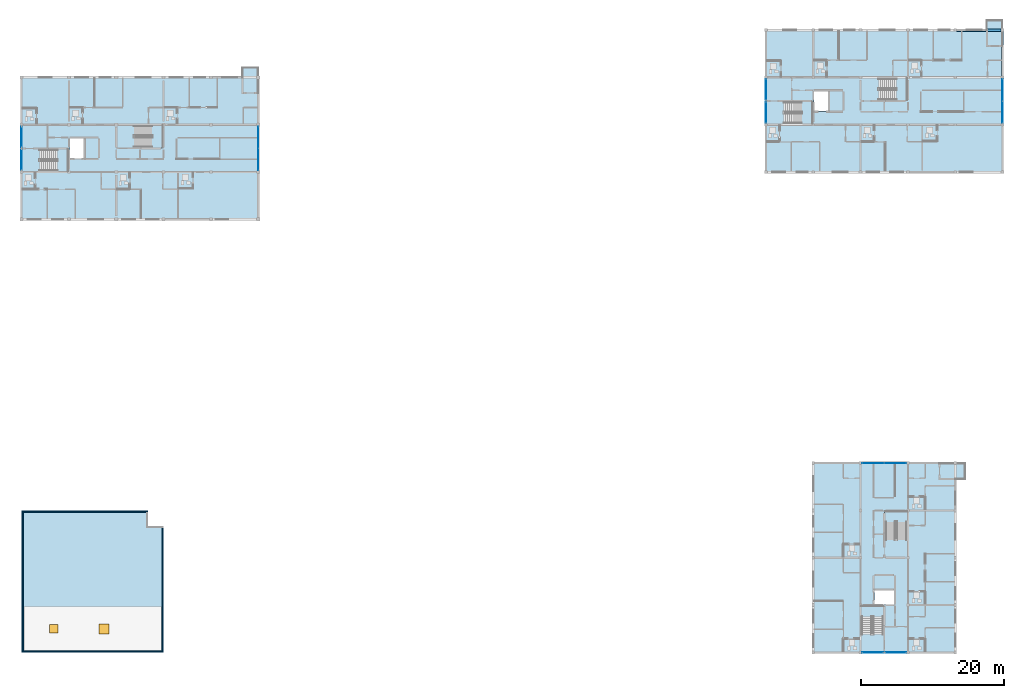
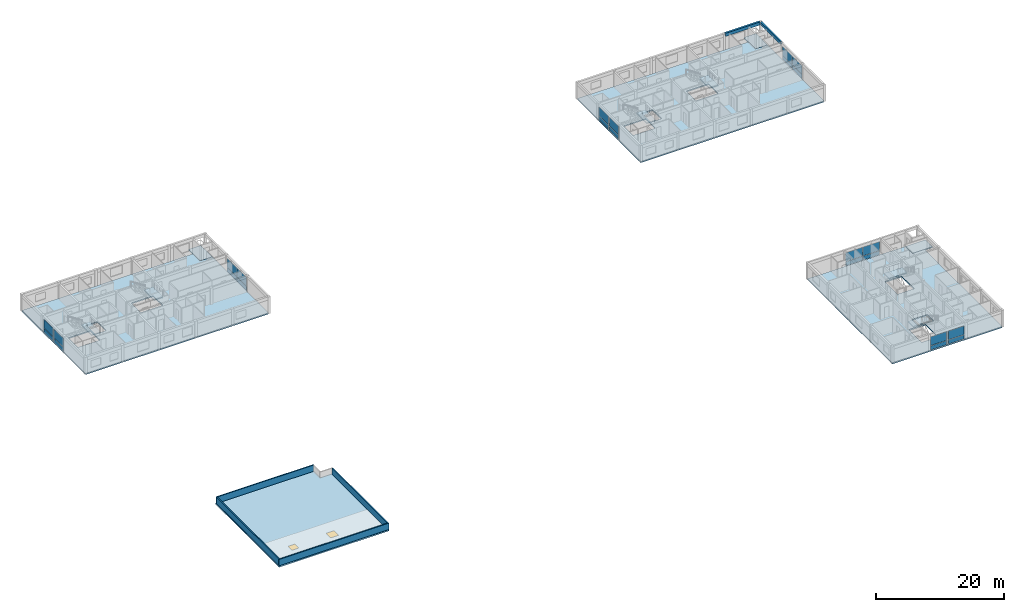
# One storey, part 15 of 34: 24 plates, 13 slabs, 4 walls, 2 beams, 2 windows, 2 openings, 15 elements without a shape of their own.
"""IFC4 building model written with IfcOpenShell, lengths in metres."""

from ifc_helpers import new_model, si_unit, direction, frame, frame_2d, origin, origin_2d, place, context, subcontext, project, spatial, polyline, rectangle, outline, extrude, material, layer, layer_set, material_profile, profile_set, type_object, element, fill, aggregate, save


model = new_model("IFC4")

# Units and contexts
model_context = context("Model", 3, precision=1e-05, world=origin(), true_north=direction((0.0, 1.0)))
body_context = subcontext(model_context, "Body", "Model", "MODEL_VIEW")
ifc_project = project(units=[si_unit("LENGTHUNIT", "METRE"), si_unit("AREAUNIT", "SQUARE_METRE"), si_unit("VOLUMEUNIT", "CUBIC_METRE"), si_unit("PLANEANGLEUNIT", "RADIAN"), si_unit("MASSUNIT", "GRAM", prefix="KILO")], contexts=[model_context])

# Site, building, storey
site_placement = place(None, origin())
site = spatial("IfcSite", under=ifc_project, at=site_placement, CompositionType="ELEMENT")
building_placement = place(site_placement, origin())
building = spatial("IfcBuilding", under=site, at=building_placement, Name="Kernevlak Ridge Housing Community", CompositionType="ELEMENT")
storey_placement = place(building_placement, frame((0.0, 0.0, 34.0)))
storey = spatial("IfcBuildingStorey", under=building, at=storey_placement, Name="L10", CompositionType="ELEMENT", Elevation=34.0)

# Beams
ifc_material_1 = material(Name="Concrete C35/45", Category="concrete")
ifc_material_profile_1 = material_profile(ifc_material_1, rectangle(XDim=0.300048828125, YDim=0.550048828125, at=origin_2d()), Name="RC 300x550")
ifc_profile_set_1 = profile_set([ifc_material_profile_1], Name="Concrete C35/45")
beam_type_1 = type_object("IfcBeamType", Name="SP-01", PredefinedType="SPANDREL", material=ifc_profile_set_1)
beam_1_placement = place(storey_placement, frame((152.39990234375, 96.0, 2.925048828125), z_axis=(0.0, 1.0, 0.0), x_axis=(-1.0, 0.0, 0.0)))
element("IfcBeam", 1, at=beam_1_placement, inside=storey, type_object=beam_type_1, Name="Beam SP-01 L10 862", PredefinedType="SPANDREL", context=body_context, shape_type="SweptSolid", body=[
    extrude(rectangle(XDim=0.300048828125, YDim=0.550048828125, at=origin_2d()), origin(), (0.0, 0.0, 1.0), 6.199951171875),
])
ifc_material_profile_2 = material_profile(ifc_material_1, rectangle(XDim=0.35009765625, YDim=0.60009765625, at=origin_2d()), Name="RC 350x600")
ifc_profile_set_2 = profile_set([ifc_material_profile_2], Name="Concrete C35/45")
beam_type_2 = type_object("IfcBeamType", Name="SP-03", PredefinedType="SPANDREL", material=ifc_profile_set_2)
beam_2_placement = place(storey_placement, frame((146.0, 102.39990234375, 2.89990234375), z_axis=(1.0, 0.0, 0.0), x_axis=(0.0, 1.0, 0.0)))
element("IfcBeam", 2, at=beam_2_placement, inside=storey, type_object=beam_type_2, Name="Beam SP-03 L10 856", PredefinedType="SPANDREL", context=body_context, shape_type="SweptSolid", body=[
    extrude(rectangle(XDim=0.35009765625, YDim=0.60009765625, at=origin_2d()), origin(), (0.0, 0.0, 1.0), 6.199951171875),
])

# Curtain wall, plate
ifc_material_2 = material(Name="Aluminium EN AW-6060 anodised and laminated glass", Category="aluminium")
curtain_wall_type_1 = type_object("IfcCurtainWallType", Name="CW-01", PredefinedType="NOTDEFINED", material=ifc_material_2)
curtain_wall_1_placement = place(storey_placement, origin())
curtain_wall_1 = element("IfcCurtainWall", 3, at=curtain_wall_1_placement, inside=storey, type_object=curtain_wall_type_1, Name="Curtain wall CW-01 CW-L10-031", PredefinedType="NOTDEFINED")
ifc_material_3 = material(Name="Solar-control double glazing glass", Category="glass")
ifc_layer_1 = layer(ifc_material_3, 0.02392578125, Name="Solar-control double glazing glass")
ifc_layer_set_1 = layer_set([ifc_layer_1], Name="Solar-control double glazing glass")
plate_type_1 = type_object("IfcPlateType", Name="CP-01", PredefinedType="CURTAIN_PANEL", material=ifc_layer_set_1)
plate_1_placement = place(storey_placement, frame((15.60009765625, 84.3076171875, 0.8798828125), z_axis=(0.0, 0.0, 1.0), x_axis=(0.0, 1.0, 0.0)))
plate_1 = element("IfcPlate", 4, at=plate_1_placement, type_object=plate_type_1, Name="CW-01 panel 1.2", PredefinedType="CURTAIN_PANEL", context=body_context, shape_type="SweptSolid", body=[
    extrude(rectangle(XDim=2.844970703125, YDim=0.02392578125, at=origin_2d()), origin(), (0.0, 0.0, 1.0), 1.659912109375),
])

curtain_wall_type_2 = type_object("IfcCurtainWallType", Name="CW-08", PredefinedType="NOTDEFINED", material=ifc_material_2)
curtain_wall_2_placement = place(storey_placement, origin())
curtain_wall_2 = element("IfcCurtainWall", 5, at=curtain_wall_2_placement, inside=storey, type_object=curtain_wall_type_2, Name="Curtain wall CW-08 CW-L10-032", PredefinedType="NOTDEFINED")
plate_2_placement = place(storey_placement, frame((15.60009765625, 87.492431640625, 0.88232421875), z_axis=(0.0, 0.0, 1.0), x_axis=(0.0, 1.0, 0.0)))
plate_2 = element("IfcPlate", 6, at=plate_2_placement, type_object=plate_type_1, Name="CW-08 panel 1.2", PredefinedType="CURTAIN_PANEL", context=body_context, shape_type="SweptSolid", body=[
    extrude(rectangle(XDim=2.8349609375, YDim=0.02392578125, at=origin_2d()), origin(), (0.0, 0.0, 1.0), 1.652587890625),
])

# Curtain wall, plates
curtain_wall_type_3 = type_object("IfcCurtainWallType", Name="CW-12", PredefinedType="NOTDEFINED", material=ifc_material_2)
curtain_wall_3_placement = place(storey_placement, origin())
curtain_wall_3 = element("IfcCurtainWall", 7, at=curtain_wall_3_placement, inside=storey, type_object=curtain_wall_type_3, Name="Curtain wall CW-12 CW-L10-033", PredefinedType="NOTDEFINED")
plate_3_placement = place(storey_placement, frame((48.60009765625, 84.376220703125, 0.87744140625), z_axis=(0.0, 0.0, 1.0), x_axis=(0.0, 1.0, 0.0)))
plate_3 = element("IfcPlate", 8, at=plate_3_placement, type_object=plate_type_1, Name="CW-12 panel 1.2", PredefinedType="CURTAIN_PANEL", context=body_context, shape_type="SweptSolid", body=[
    extrude(rectangle(XDim=2.992431640625, YDim=0.02392578125, at=origin_2d()), origin(), (0.0, 0.0, 1.0), 1.66748046875),
])
plate_4_placement = place(storey_placement, frame((48.60009765625, 87.423828125, 0.87744140625), z_axis=(0.0, 0.0, 1.0), x_axis=(0.0, 1.0, 0.0)))
plate_4 = element("IfcPlate", 9, at=plate_4_placement, type_object=plate_type_1, Name="CW-12 panel 2.2", PredefinedType="CURTAIN_PANEL", context=body_context, shape_type="SweptSolid", body=[
    extrude(rectangle(XDim=2.992431640625, YDim=0.02392578125, at=origin_2d()), origin(), (0.0, 0.0, 1.0), 1.66748046875),
])

# Curtain wall, plate
curtain_wall_type_4 = type_object("IfcCurtainWallType", Name="CW-04", PredefinedType="NOTDEFINED", material=ifc_material_2)
curtain_wall_4_placement = place(storey_placement, origin())
curtain_wall_4 = element("IfcCurtainWall", 10, at=curtain_wall_4_placement, inside=storey, type_object=curtain_wall_type_4, Name="Curtain wall CW-04 CW-L10-085", PredefinedType="NOTDEFINED")
plate_5_placement = place(storey_placement, frame((119.39990234375, 90.89501953125, 0.8798828125), z_axis=(0.0, 0.0, 1.0), x_axis=(0.0, 1.0, 0.0)))
plate_5 = element("IfcPlate", 11, at=plate_5_placement, type_object=plate_type_1, Name="CW-04 panel 1.2", PredefinedType="CURTAIN_PANEL", context=body_context, shape_type="SweptSolid", body=[
    extrude(rectangle(XDim=2.8701171875, YDim=0.02392578125, at=origin_2d()), origin(), (0.0, 0.0, 1.0), 1.659912109375),
])

curtain_wall_type_5 = type_object("IfcCurtainWallType", Name="CW-11", PredefinedType="NOTDEFINED", material=ifc_material_2)
curtain_wall_5_placement = place(storey_placement, origin())
curtain_wall_5 = element("IfcCurtainWall", 12, at=curtain_wall_5_placement, inside=storey, type_object=curtain_wall_type_5, Name="Curtain wall CW-11 CW-L10-086", PredefinedType="NOTDEFINED")
plate_6_placement = place(storey_placement, frame((119.39990234375, 94.10498046875, 0.88232421875), z_axis=(0.0, 0.0, 1.0), x_axis=(0.0, 1.0, 0.0)))
plate_6 = element("IfcPlate", 13, at=plate_6_placement, type_object=plate_type_1, Name="CW-11 panel 1.2", PredefinedType="CURTAIN_PANEL", context=body_context, shape_type="SweptSolid", body=[
    extrude(rectangle(XDim=2.860107421875, YDim=0.02392578125, at=origin_2d()), origin(), (0.0, 0.0, 1.0), 1.652587890625),
])

# Curtain wall, plates
curtain_wall_type_6 = type_object("IfcCurtainWallType", Name="CW-14", PredefinedType="NOTDEFINED", material=ifc_material_2)
curtain_wall_6_placement = place(storey_placement, origin())
curtain_wall_6 = element("IfcCurtainWall", 14, at=curtain_wall_6_placement, inside=storey, type_object=curtain_wall_type_6, Name="Curtain wall CW-14 CW-L10-087", PredefinedType="NOTDEFINED")
plate_7_placement = place(storey_placement, frame((152.39990234375, 90.9638671875, 0.87744140625), z_axis=(0.0, 0.0, 1.0), x_axis=(0.0, 1.0, 0.0)))
plate_7 = element("IfcPlate", 15, at=plate_7_placement, type_object=plate_type_1, Name="CW-14 panel 1.2", PredefinedType="CURTAIN_PANEL", context=body_context, shape_type="SweptSolid", body=[
    extrude(rectangle(XDim=3.017578125, YDim=0.02392578125, at=origin_2d()), origin(), (0.0, 0.0, 1.0), 1.66748046875),
])
plate_8_placement = place(storey_placement, frame((152.39990234375, 94.0361328125, 0.87744140625), z_axis=(0.0, 0.0, 1.0), x_axis=(0.0, 1.0, 0.0)))
plate_8 = element("IfcPlate", 16, at=plate_8_placement, type_object=plate_type_1, Name="CW-14 panel 2.2", PredefinedType="CURTAIN_PANEL", context=body_context, shape_type="SweptSolid", body=[
    extrude(rectangle(XDim=3.017578125, YDim=0.02392578125, at=origin_2d()), origin(), (0.0, 0.0, 1.0), 1.66748046875),
])

# Curtain wall, plate
curtain_wall_type_7 = type_object("IfcCurtainWallType", Name="CW-07", PredefinedType="NOTDEFINED", material=ifc_material_2)
curtain_wall_7_placement = place(storey_placement, origin())
curtain_wall_7 = element("IfcCurtainWall", 17, at=curtain_wall_7_placement, inside=storey, type_object=curtain_wall_type_7, Name="Curtain wall CW-07 CW-L10-130", PredefinedType="NOTDEFINED")
plate_9_placement = place(storey_placement, frame((134.294921875, 15.60009765625, 0.8798828125), z_axis=(0.0, 0.0, 1.0), x_axis=(1.0, 0.0, 0.0)))
plate_9 = element("IfcPlate", 18, at=plate_9_placement, type_object=plate_type_1, Name="CW-07 panel 1.2", PredefinedType="CURTAIN_PANEL", context=body_context, shape_type="SweptSolid", body=[
    extrude(rectangle(XDim=2.8701171875, YDim=0.02392578125, at=origin_2d()), origin(), (0.0, 0.0, 1.0), 1.659912109375),
])

curtain_wall_8_placement = place(storey_placement, origin())
curtain_wall_8 = element("IfcCurtainWall", 19, at=curtain_wall_8_placement, inside=storey, type_object=curtain_wall_type_6, Name="Curtain wall CW-14 CW-L10-131", PredefinedType="NOTDEFINED")
plate_10_placement = place(storey_placement, frame((137.5048828125, 15.60009765625, 0.88232421875), z_axis=(0.0, 0.0, 1.0), x_axis=(1.0, 0.0, 0.0)))
plate_10 = element("IfcPlate", 20, at=plate_10_placement, type_object=plate_type_1, Name="CW-14 panel 1.2", PredefinedType="CURTAIN_PANEL", context=body_context, shape_type="SweptSolid", body=[
    extrude(rectangle(XDim=2.860107421875, YDim=0.02392578125, at=origin_2d()), origin(), (0.0, 0.0, 1.0), 1.652587890625),
])

# Curtain wall, plates
curtain_wall_type_8 = type_object("IfcCurtainWallType", Name="CW-02", PredefinedType="NOTDEFINED", material=ifc_material_2)
curtain_wall_9_placement = place(storey_placement, origin())
curtain_wall_9 = element("IfcCurtainWall", 21, at=curtain_wall_9_placement, inside=storey, type_object=curtain_wall_type_8, Name="Curtain wall CW-02 CW-L10-132", PredefinedType="NOTDEFINED")
plate_11_placement = place(storey_placement, frame((134.36376953125, 42.0, 0.87744140625), z_axis=(0.0, 0.0, 1.0), x_axis=(1.0, 0.0, 0.0)))
plate_11 = element("IfcPlate", 22, at=plate_11_placement, type_object=plate_type_1, Name="CW-02 panel 1.2", PredefinedType="CURTAIN_PANEL", context=body_context, shape_type="SweptSolid", body=[
    extrude(rectangle(XDim=3.017578125, YDim=0.02392578125, at=origin_2d()), origin(), (0.0, 0.0, 1.0), 1.66748046875),
])
plate_12_placement = place(storey_placement, frame((137.436279296875, 42.0, 0.87744140625), z_axis=(0.0, 0.0, 1.0), x_axis=(1.0, 0.0, 0.0)))
plate_12 = element("IfcPlate", 23, at=plate_12_placement, type_object=plate_type_1, Name="CW-02 panel 2.2", PredefinedType="CURTAIN_PANEL", context=body_context, shape_type="SweptSolid", body=[
    extrude(rectangle(XDim=3.017578125, YDim=0.02392578125, at=origin_2d()), origin(), (0.0, 0.0, 1.0), 1.66748046875),
])
ifc_material_4 = material(Name="Aluminium EN AW-5005 enamelled panel", Category="aluminium")
ifc_layer_2 = layer(ifc_material_4, 0.033935546875, Name="Aluminium EN AW-5005 enamelled panel")
ifc_layer_set_2 = layer_set([ifc_layer_2], Name="Aluminium EN AW-5005 enamelled panel")
plate_type_2 = type_object("IfcPlateType", Name="CP-03", PredefinedType="CURTAIN_PANEL", material=ifc_layer_set_2)
plate_13_placement = place(storey_placement, frame((134.36376953125, 42.0, 0.054931640625), z_axis=(0.0, 0.0, 1.0), x_axis=(1.0, 0.0, 0.0)))
plate_13 = element("IfcPlate", 24, at=plate_13_placement, type_object=plate_type_2, Name="CW-02 panel 1.1", PredefinedType="CURTAIN_PANEL", context=body_context, shape_type="SweptSolid", body=[
    extrude(rectangle(XDim=3.017578125, YDim=0.033935546875, at=origin_2d()), origin(), (0.0, 0.0, 1.0), 0.767578125),
])
plate_14_placement = place(storey_placement, frame((137.436279296875, 42.0, 0.054931640625), z_axis=(0.0, 0.0, 1.0), x_axis=(1.0, 0.0, 0.0)))
plate_14 = element("IfcPlate", 25, at=plate_14_placement, type_object=plate_type_2, Name="CW-02 panel 2.1", PredefinedType="CURTAIN_PANEL", context=body_context, shape_type="SweptSolid", body=[
    extrude(rectangle(XDim=3.017578125, YDim=0.033935546875, at=origin_2d()), origin(), (0.0, 0.0, 1.0), 0.767578125),
])
aggregate(curtain_wall_9, [plate_13, plate_11, plate_14, plate_12])

# Plate
ifc_layer_3 = layer(ifc_material_4, 0.0380859375, Name="Aluminium EN AW-5005 enamelled panel")
ifc_layer_set_3 = layer_set([ifc_layer_3], Name="Aluminium EN AW-5005 enamelled panel")
plate_type_3 = type_object("IfcPlateType", Name="CP-04", PredefinedType="CURTAIN_PANEL", material=ifc_layer_set_3)
plate_15_placement = place(storey_placement, frame((15.60009765625, 84.3076171875, 0.06005859375), z_axis=(0.0, 0.0, 1.0), x_axis=(0.0, 1.0, 0.0)))
plate_15 = element("IfcPlate", 26, at=plate_15_placement, type_object=plate_type_3, Name="CW-01 panel 1.1", PredefinedType="CURTAIN_PANEL", context=body_context, shape_type="SweptSolid", body=[
    extrude(rectangle(XDim=2.844970703125, YDim=0.0380859375, at=origin_2d()), origin(), (0.0, 0.0, 1.0), 0.760009765625),
])

aggregate(curtain_wall_1, [plate_15, plate_1])

ifc_layer_4 = layer(ifc_material_4, 0.0419921875, Name="Aluminium EN AW-5005 enamelled panel")
ifc_layer_set_4 = layer_set([ifc_layer_4], Name="Aluminium EN AW-5005 enamelled panel")
plate_type_4 = type_object("IfcPlateType", Name="CP-05", PredefinedType="CURTAIN_PANEL", material=ifc_layer_set_4)
plate_16_placement = place(storey_placement, frame((15.60009765625, 87.492431640625, 0.06494140625), z_axis=(0.0, 0.0, 1.0), x_axis=(0.0, 1.0, 0.0)))
plate_16 = element("IfcPlate", 27, at=plate_16_placement, type_object=plate_type_4, Name="CW-08 panel 1.1", PredefinedType="CURTAIN_PANEL", context=body_context, shape_type="SweptSolid", body=[
    extrude(rectangle(XDim=2.8349609375, YDim=0.0419921875, at=origin_2d()), origin(), (0.0, 0.0, 1.0), 0.75244140625),
])

aggregate(curtain_wall_2, [plate_16, plate_2])

plate_17_placement = place(storey_placement, frame((119.39990234375, 90.89501953125, 0.06005859375), z_axis=(0.0, 0.0, 1.0), x_axis=(0.0, 1.0, 0.0)))
plate_17 = element("IfcPlate", 28, at=plate_17_placement, type_object=plate_type_4, Name="CW-04 panel 1.1", PredefinedType="CURTAIN_PANEL", context=body_context, shape_type="SweptSolid", body=[
    extrude(rectangle(XDim=2.8701171875, YDim=0.0419921875, at=origin_2d()), origin(), (0.0, 0.0, 1.0), 0.760009765625),
])

aggregate(curtain_wall_4, [plate_17, plate_5])

ifc_material_5 = material(Name="Aluminium EN AW-5005 insulated panel", Category="aluminium")
ifc_layer_5 = layer(ifc_material_5, 0.0458984375, Name="Aluminium EN AW-5005 insulated panel")
ifc_layer_set_5 = layer_set([ifc_layer_5], Name="Aluminium EN AW-5005 insulated panel")
plate_type_5 = type_object("IfcPlateType", Name="CP-06", PredefinedType="CURTAIN_PANEL", material=ifc_layer_set_5)
plate_18_placement = place(storey_placement, frame((48.60009765625, 84.376220703125, 0.054931640625), z_axis=(0.0, 0.0, 1.0), x_axis=(0.0, 1.0, 0.0)))
plate_18 = element("IfcPlate", 29, at=plate_18_placement, type_object=plate_type_5, Name="CW-12 panel 1.1", PredefinedType="CURTAIN_PANEL", context=body_context, shape_type="SweptSolid", body=[
    extrude(rectangle(XDim=2.992431640625, YDim=0.0458984375, at=origin_2d()), origin(), (0.0, 0.0, 1.0), 0.767578125),
])

plate_19_placement = place(storey_placement, frame((48.60009765625, 87.423828125, 0.054931640625), z_axis=(0.0, 0.0, 1.0), x_axis=(0.0, 1.0, 0.0)))
plate_19 = element("IfcPlate", 30, at=plate_19_placement, type_object=plate_type_5, Name="CW-12 panel 2.1", PredefinedType="CURTAIN_PANEL", context=body_context, shape_type="SweptSolid", body=[
    extrude(rectangle(XDim=2.992431640625, YDim=0.0458984375, at=origin_2d()), origin(), (0.0, 0.0, 1.0), 0.767578125),
])

aggregate(curtain_wall_3, [plate_18, plate_3, plate_19, plate_4])

plate_20_placement = place(storey_placement, frame((119.39990234375, 94.10498046875, 0.06494140625), z_axis=(0.0, 0.0, 1.0), x_axis=(0.0, 1.0, 0.0)))
plate_20 = element("IfcPlate", 31, at=plate_20_placement, type_object=plate_type_5, Name="CW-11 panel 1.1", PredefinedType="CURTAIN_PANEL", context=body_context, shape_type="SweptSolid", body=[
    extrude(rectangle(XDim=2.860107421875, YDim=0.0458984375, at=origin_2d()), origin(), (0.0, 0.0, 1.0), 0.75244140625),
])

aggregate(curtain_wall_5, [plate_20, plate_6])

plate_21_placement = place(storey_placement, frame((134.294921875, 15.60009765625, 0.06005859375), z_axis=(0.0, 0.0, 1.0), x_axis=(1.0, 0.0, 0.0)))
plate_21 = element("IfcPlate", 32, at=plate_21_placement, type_object=plate_type_5, Name="CW-07 panel 1.1", PredefinedType="CURTAIN_PANEL", context=body_context, shape_type="SweptSolid", body=[
    extrude(rectangle(XDim=2.8701171875, YDim=0.0458984375, at=origin_2d()), origin(), (0.0, 0.0, 1.0), 0.760009765625),
])

aggregate(curtain_wall_7, [plate_21, plate_9])

ifc_layer_6 = layer(ifc_material_5, 0.050048828125, Name="Aluminium EN AW-5005 insulated panel")
ifc_layer_set_6 = layer_set([ifc_layer_6], Name="Aluminium EN AW-5005 insulated panel")
plate_type_6 = type_object("IfcPlateType", Name="CP-07", PredefinedType="CURTAIN_PANEL", material=ifc_layer_set_6)
plate_22_placement = place(storey_placement, frame((152.39990234375, 90.9638671875, 0.054931640625), z_axis=(0.0, 0.0, 1.0), x_axis=(0.0, 1.0, 0.0)))
plate_22 = element("IfcPlate", 33, at=plate_22_placement, type_object=plate_type_6, Name="CW-14 panel 1.1", PredefinedType="CURTAIN_PANEL", context=body_context, shape_type="SweptSolid", body=[
    extrude(rectangle(XDim=3.017578125, YDim=0.050048828125, at=origin_2d()), origin(), (0.0, 0.0, 1.0), 0.767578125),
])

plate_23_placement = place(storey_placement, frame((152.39990234375, 94.0361328125, 0.054931640625), z_axis=(0.0, 0.0, 1.0), x_axis=(0.0, 1.0, 0.0)))
plate_23 = element("IfcPlate", 34, at=plate_23_placement, type_object=plate_type_6, Name="CW-14 panel 2.1", PredefinedType="CURTAIN_PANEL", context=body_context, shape_type="SweptSolid", body=[
    extrude(rectangle(XDim=3.017578125, YDim=0.050048828125, at=origin_2d()), origin(), (0.0, 0.0, 1.0), 0.767578125),
])

aggregate(curtain_wall_6, [plate_22, plate_7, plate_23, plate_8])

plate_24_placement = place(storey_placement, frame((137.5048828125, 15.60009765625, 0.06494140625), z_axis=(0.0, 0.0, 1.0), x_axis=(1.0, 0.0, 0.0)))
plate_24 = element("IfcPlate", 35, at=plate_24_placement, type_object=plate_type_6, Name="CW-14 panel 1.1", PredefinedType="CURTAIN_PANEL", context=body_context, shape_type="SweptSolid", body=[
    extrude(rectangle(XDim=2.860107421875, YDim=0.050048828125, at=origin_2d()), origin(), (0.0, 0.0, 1.0), 0.75244140625),
])

aggregate(curtain_wall_8, [plate_24, plate_10])

# Slabs
ifc_layer_7 = layer(ifc_material_1, 0.199951171875, Name="Concrete C35/45")
ifc_layer_set_7 = layer_set([ifc_layer_7], Name="Concrete C35/45")
slab_type_1 = type_object("IfcSlabType", Name="SL-05", PredefinedType="FLOOR", material=ifc_layer_set_7)
slab_1_placement = place(storey_placement, frame((0.0, 0.0, -0.199951171875)))
element("IfcSlab", 36, at=slab_1_placement, inside=storey, type_object=slab_type_1, Name="Block A L10 corner balcony deck slab", PredefinedType="FLOOR", context=body_context, shape_type="SweptSolid", body=[
    extrude(outline(polyline([(46.39990234375, 93.60009765625), (48.60009765625, 93.60009765625), (48.60009765625, 97.199951171875), (46.39990234375, 97.199951171875), (46.39990234375, 93.60009765625)])), origin(), (0.0, 0.0, 1.0), 0.199951171875),
])
slab_2_placement = place(storey_placement, frame((0.0, 0.0, -0.199951171875)))
element("IfcSlab", 37, at=slab_2_placement, inside=storey, type_object=slab_type_1, Name="Block B L10 corner balcony deck slab", PredefinedType="FLOOR", context=body_context, shape_type="SweptSolid", body=[
    extrude(outline(polyline([(150.199951171875, 100.199951171875), (152.39990234375, 100.199951171875), (152.39990234375, 103.800048828125), (150.199951171875, 103.800048828125), (150.199951171875, 100.199951171875)])), origin(), (0.0, 0.0, 1.0), 0.199951171875),
])
slab_3_placement = place(storey_placement, frame((0.0, 0.0, -0.199951171875)))
element("IfcSlab", 38, at=slab_3_placement, inside=storey, type_object=slab_type_1, Name="Block C L10 corner balcony deck slab", PredefinedType="FLOOR", context=body_context, shape_type="SweptSolid", body=[
    extrude(outline(polyline([(147.199951171875, 39.800048828125), (147.199951171875, 42.0), (143.60009765625, 42.0), (143.60009765625, 39.800048828125), (147.199951171875, 39.800048828125)])), origin(), (0.0, 0.0, 1.0), 0.199951171875),
])

# Slab, openings, windows
ifc_layer_8 = layer(ifc_material_1, 0.260009765625, Name="Concrete C35/45")
ifc_layer_set_8 = layer_set([ifc_layer_8], Name="Concrete C35/45")
slab_type_2 = type_object("IfcSlabType", Name="SL-07", PredefinedType="ROOF", material=ifc_layer_set_8)
slab_4_placement = place(storey_placement, frame((0.0, 0.0, -0.260009765625)))
slab_4 = element("IfcSlab", 39, at=slab_4_placement, inside=storey, type_object=slab_type_2, Name="Block D main flat roof slab", PredefinedType="ROOF", context=body_context, shape_type="SweptSolid", body=[
    extrude(outline(polyline([(15.60009765625, 15.60009765625), (35.39990234375, 15.60009765625), (35.39990234375, 33.199951171875), (33.199951171875, 33.199951171875), (33.199951171875, 35.39990234375), (15.60009765625, 35.39990234375), (15.60009765625, 15.60009765625)])), origin(), (0.0, 0.0, 1.0), 0.260009765625),
])
opening_1_placement = place(slab_4_placement, frame((20.10009765625, 18.89990234375, -0.010009765625)))
opening_1 = element("IfcOpeningElement", 40, at=opening_1_placement, cuts=slab_4, Name="Opening SK-01", PredefinedType="OPENING", context=body_context, shape_type="SweptSolid", body=[
    extrude(rectangle(XDim=1.199951171875, YDim=1.199951171875, at=origin_2d()), origin(), (0.0, 0.0, 1.0), 0.280029296875),
])
opening_2_placement = place(slab_4_placement, frame((27.10009765625, 18.89990234375, -0.010009765625)))
opening_2 = element("IfcOpeningElement", 41, at=opening_2_placement, cuts=slab_4, Name="Opening SK-02", PredefinedType="OPENING", context=body_context, shape_type="SweptSolid", body=[
    extrude(rectangle(XDim=1.39990234375, YDim=1.39990234375, at=origin_2d()), origin(), (0.0, 0.0, 1.0), 0.280029296875),
])
ifc_material_6 = material(Name="Aluminium EN AW-6060 and laminated skylight glass", Category="aluminium")
window_type_1 = type_object("IfcWindowType", Name="SK-01", PartitioningType="SINGLE_PANEL", PredefinedType="SKYLIGHT", material=ifc_material_6)
window_1_placement = place(slab_4_placement, frame((20.10009765625, 18.89990234375, 0.2099609375)))
window_1 = element("IfcWindow", 42, at=window_1_placement, inside=storey, type_object=window_type_1, Name="Block D roof skylight hatch 5", OverallHeight=1.199951171875, OverallWidth=1.199951171875, PartitioningType="SINGLE_PANEL", PredefinedType="SKYLIGHT", context=body_context, shape_type="SweptSolid", body=[
    extrude(rectangle(XDim=1.199951171875, YDim=1.199951171875, at=origin_2d()), origin(), (0.0, 0.0, 1.0), 0.050048828125),
])
fill(opening_1, window_1)
window_type_2 = type_object("IfcWindowType", Name="SK-02", PartitioningType="SINGLE_PANEL", PredefinedType="SKYLIGHT", material=ifc_material_6)
window_2_placement = place(slab_4_placement, frame((27.10009765625, 18.89990234375, 0.2099609375)))
window_2 = element("IfcWindow", 43, at=window_2_placement, inside=storey, type_object=window_type_2, Name="Block D roof skylight hatch 6", OverallHeight=1.39990234375, OverallWidth=1.39990234375, PartitioningType="SINGLE_PANEL", PredefinedType="SKYLIGHT", context=body_context, shape_type="SweptSolid", body=[
    extrude(rectangle(XDim=1.39990234375, YDim=1.39990234375, at=origin_2d()), origin(), (0.0, 0.0, 1.0), 0.050048828125),
])
fill(opening_2, window_2)

# Stair, slab
stair_type_1 = type_object("IfcStairType", Name="SR-06", PredefinedType="HALF_TURN_STAIR", material=ifc_material_1)
stair_1_placement = place(storey_placement, origin())
stair_1 = element("IfcStair", 44, at=stair_1_placement, inside=storey, type_object=stair_type_1, Name="Stair ST-A1 L10", PredefinedType="HALF_TURN_STAIR")
ifc_layer_9 = layer(ifc_material_1, 0.18994140625, Name="Concrete C35/45")
ifc_layer_set_9 = layer_set([ifc_layer_9], Name="Concrete C35/45")
slab_type_3 = type_object("IfcSlabType", Name="SL-13", PredefinedType="LANDING", material=ifc_layer_set_9)
slab_5_placement = place(storey_placement, frame((0.0, 0.0, 1.409912109375)))
slab_5 = element("IfcSlab", 45, at=slab_5_placement, type_object=slab_type_3, Name="SR-06 landing 1", PredefinedType="LANDING", context=body_context, shape_type="SweptSolid", body=[
    extrude(outline(polyline([(20.5400390625, 82.64990234375), (22.14990234375, 82.64990234375), (22.14990234375, 85.85009765625), (20.5400390625, 85.85009765625), (20.5400390625, 82.64990234375)])), origin(), (0.0, 0.0, 1.0), 0.190185546875),
])
aggregate(stair_1, [slab_5])

stair_2_placement = place(storey_placement, origin())
stair_2 = element("IfcStair", 46, at=stair_2_placement, inside=storey, type_object=stair_type_1, Name="Stair ST-A2 L10", PredefinedType="HALF_TURN_STAIR")
slab_6_placement = place(storey_placement, frame((0.0, 0.0, 1.409912109375)))
slab_6 = element("IfcSlab", 47, at=slab_6_placement, type_object=slab_type_3, Name="SR-06 landing 1", PredefinedType="LANDING", context=body_context, shape_type="SweptSolid", body=[
    extrude(outline(polyline([(33.739990234375, 85.949951171875), (35.35009765625, 85.949951171875), (35.35009765625, 89.14990234375), (33.739990234375, 89.14990234375), (33.739990234375, 85.949951171875)])), origin(), (0.0, 0.0, 1.0), 0.190185546875),
])
aggregate(stair_2, [slab_6])

stair_type_2 = type_object("IfcStairType", Name="SR-01", PredefinedType="HALF_TURN_STAIR", material=ifc_material_1)
stair_3_placement = place(storey_placement, origin())
stair_3 = element("IfcStair", 48, at=stair_3_placement, inside=storey, type_object=stair_type_2, Name="Stair ST-B1 L10", PredefinedType="HALF_TURN_STAIR")
slab_7_placement = place(storey_placement, frame((0.0, 0.0, 1.409912109375)))
slab_7 = element("IfcSlab", 49, at=slab_7_placement, type_object=slab_type_3, Name="SR-01 landing 1", PredefinedType="LANDING", context=body_context, shape_type="SweptSolid", body=[
    extrude(outline(polyline([(124.340087890625, 89.25), (125.949951171875, 89.25), (125.949951171875, 92.449951171875), (124.340087890625, 92.449951171875), (124.340087890625, 89.25)])), origin(), (0.0, 0.0, 1.0), 0.190185546875),
])
aggregate(stair_3, [slab_7])

stair_4_placement = place(storey_placement, origin())
stair_4 = element("IfcStair", 50, at=stair_4_placement, inside=storey, type_object=stair_type_2, Name="Stair ST-B2 L10", PredefinedType="HALF_TURN_STAIR")
slab_8_placement = place(storey_placement, frame((0.0, 0.0, 1.409912109375)))
slab_8 = element("IfcSlab", 51, at=slab_8_placement, type_object=slab_type_3, Name="SR-01 landing 1", PredefinedType="LANDING", context=body_context, shape_type="SweptSolid", body=[
    extrude(outline(polyline([(137.5400390625, 92.550048828125), (139.14990234375, 92.550048828125), (139.14990234375, 95.75), (137.5400390625, 95.75), (137.5400390625, 92.550048828125)])), origin(), (0.0, 0.0, 1.0), 0.190185546875),
])
aggregate(stair_4, [slab_8])

stair_5_placement = place(storey_placement, origin())
stair_5 = element("IfcStair", 52, at=stair_5_placement, inside=storey, type_object=stair_type_1, Name="Stair ST-C1 L10", PredefinedType="HALF_TURN_STAIR")
slab_9_placement = place(storey_placement, frame((0.0, 0.0, 1.409912109375)))
slab_9 = element("IfcSlab", 53, at=slab_9_placement, type_object=slab_type_3, Name="SR-06 landing 1", PredefinedType="LANDING", context=body_context, shape_type="SweptSolid", body=[
    extrude(outline(polyline([(135.85009765625, 20.5400390625), (135.85009765625, 22.14990234375), (132.64990234375, 22.14990234375), (132.64990234375, 20.5400390625), (135.85009765625, 20.5400390625)])), origin(), (0.0, 0.0, 1.0), 0.190185546875),
])
aggregate(stair_5, [slab_9])

stair_6_placement = place(storey_placement, origin())
stair_6 = element("IfcStair", 54, at=stair_6_placement, inside=storey, type_object=stair_type_1, Name="Stair ST-C2 L10", PredefinedType="HALF_TURN_STAIR")
slab_10_placement = place(storey_placement, frame((0.0, 0.0, 1.409912109375)))
slab_10 = element("IfcSlab", 55, at=slab_10_placement, type_object=slab_type_3, Name="SR-06 landing 1", PredefinedType="LANDING", context=body_context, shape_type="SweptSolid", body=[
    extrude(outline(polyline([(139.14990234375, 33.739990234375), (139.14990234375, 35.35009765625), (135.949951171875, 35.35009765625), (135.949951171875, 33.739990234375), (139.14990234375, 33.739990234375)])), origin(), (0.0, 0.0, 1.0), 0.190185546875),
])
aggregate(stair_6, [slab_10])

# Slabs
ifc_layer_10 = layer(ifc_material_1, 0.22998046875, Name="Concrete C35/45")
ifc_layer_set_10 = layer_set([ifc_layer_10], Name="Concrete C35/45")
slab_type_4 = type_object("IfcSlabType", Name="SL-16", PredefinedType="FLOOR", material=ifc_layer_set_10)
slab_11_placement = place(storey_placement, frame((0.0, 0.0, -0.22998046875)))
element("IfcSlab", 56, at=slab_11_placement, inside=storey, type_object=slab_type_4, Name="Block A level L10 floor slab", PredefinedType="FLOOR", context=body_context, shape_type="SweptSolid", body=[
    extrude(outline(polyline([(15.60009765625, 76.0), (48.60009765625, 76.0), (48.60009765625, 93.60009765625), (46.39990234375, 93.60009765625), (46.39990234375, 95.800048828125), (15.60009765625, 95.800048828125), (15.60009765625, 76.0)]), holes=[polyline([(18.139892578125, 85.75), (22.1201171875, 85.75), (22.1201171875, 82.75), (18.139892578125, 82.75), (18.139892578125, 85.75)]), polyline([(31.340087890625, 89.050048828125), (35.320068359375, 89.050048828125), (35.320068359375, 86.050048828125), (31.340087890625, 86.050048828125), (31.340087890625, 89.050048828125)]), polyline([(22.320068359375, 87.280029296875), (24.280029296875, 87.280029296875), (24.280029296875, 84.52001953125), (22.320068359375, 84.52001953125), (22.320068359375, 87.280029296875)])]), origin(), (0.0, 0.0, 1.0), 0.22998046875),
])
slab_12_placement = place(storey_placement, frame((0.0, 0.0, -0.22998046875)))
element("IfcSlab", 57, at=slab_12_placement, inside=storey, type_object=slab_type_4, Name="Block B level L10 floor slab", PredefinedType="FLOOR", context=body_context, shape_type="SweptSolid", body=[
    extrude(outline(polyline([(119.39990234375, 82.60009765625), (152.39990234375, 82.60009765625), (152.39990234375, 100.199951171875), (150.199951171875, 100.199951171875), (150.199951171875, 102.39990234375), (119.39990234375, 102.39990234375), (119.39990234375, 82.60009765625)]), holes=[polyline([(121.93994140625, 92.35009765625), (125.919921875, 92.35009765625), (125.919921875, 89.35009765625), (121.93994140625, 89.35009765625), (121.93994140625, 92.35009765625)]), polyline([(135.139892578125, 95.64990234375), (139.1201171875, 95.64990234375), (139.1201171875, 92.64990234375), (135.139892578125, 92.64990234375), (135.139892578125, 95.64990234375)]), polyline([(126.1201171875, 93.8798828125), (128.080078125, 93.8798828125), (128.080078125, 91.1201171875), (126.1201171875, 91.1201171875), (126.1201171875, 93.8798828125)])]), origin(), (0.0, 0.0, 1.0), 0.22998046875),
])
slab_13_placement = place(storey_placement, frame((0.0, 0.0, -0.22998046875)))
element("IfcSlab", 58, at=slab_13_placement, inside=storey, type_object=slab_type_4, Name="Block C level L10 floor slab", PredefinedType="FLOOR", context=body_context, shape_type="SweptSolid", body=[
    extrude(outline(polyline([(145.800048828125, 15.60009765625), (145.800048828125, 39.800048828125), (143.60009765625, 39.800048828125), (143.60009765625, 42.0), (126.0, 42.0), (126.0, 15.60009765625), (145.800048828125, 15.60009765625)]), holes=[polyline([(132.75, 18.139892578125), (132.75, 22.1201171875), (135.75, 22.1201171875), (135.75, 18.139892578125), (132.75, 18.139892578125)]), polyline([(136.050048828125, 31.340087890625), (136.050048828125, 35.320068359375), (139.050048828125, 35.320068359375), (139.050048828125, 31.340087890625), (136.050048828125, 31.340087890625)]), polyline([(134.52001953125, 24.280029296875), (137.280029296875, 24.280029296875), (137.280029296875, 22.320068359375), (134.52001953125, 22.320068359375), (134.52001953125, 24.280029296875)])]), origin(), (0.0, 0.0, 1.0), 0.22998046875),
])

# Walls
ifc_layer_11 = layer(ifc_material_1, 0.199951171875, Name="Concrete C35/45")
ifc_layer_set_11 = layer_set([ifc_layer_11], Name="Concrete C35/45")
wall_type = type_object("IfcWallType", Name="PR-01", PredefinedType="PARAPET", material=ifc_layer_set_11)
wall_1_placement = place(storey_placement, frame((15.6201171875, 15.719970703125, 0.0), z_axis=(0.0, 0.0, 1.0), x_axis=(1.0, 0.0, 0.0)))
element("IfcWall", 59, at=wall_1_placement, inside=storey, type_object=wall_type, Name="Block D roof parapet wall 1", PredefinedType="PARAPET", context=body_context, shape_type="SweptSolid", body=[
    extrude(rectangle(XDim=19.759765625, YDim=0.199951171875, at=frame_2d((9.8798828125, 0.0))), origin(), (0.0, 0.0, 1.0), 1.199951171875),
])
wall_2_placement = place(storey_placement, frame((35.280029296875, 15.820068359375, 0.0), z_axis=(0.0, 0.0, 1.0), x_axis=(0.0, 1.0, 0.0)))
element("IfcWall", 60, at=wall_2_placement, inside=storey, type_object=wall_type, Name="Block D roof parapet wall 2", PredefinedType="PARAPET", context=body_context, shape_type="SweptSolid", body=[
    extrude(rectangle(XDim=17.159912109375, YDim=0.199951171875, at=frame_2d((8.580078125, 0.0))), origin(), (0.0, 0.0, 1.0), 1.199951171875),
])
wall_3_placement = place(storey_placement, frame((33.179931640625, 35.280029296875, 0.0), z_axis=(0.0, 0.0, 1.0), x_axis=(-1.0, 0.0, 0.0)))
element("IfcWall", 61, at=wall_3_placement, inside=storey, type_object=wall_type, Name="Block D roof parapet wall 5", PredefinedType="PARAPET", context=body_context, shape_type="SweptSolid", body=[
    extrude(rectangle(XDim=17.559814453125, YDim=0.199951171875, at=frame_2d((8.77978515625, 0.0))), origin(), (0.0, 0.0, 1.0), 1.199951171875),
])
wall_4_placement = place(storey_placement, frame((15.719970703125, 35.179931640625, 0.0), z_axis=(0.0, 0.0, 1.0), x_axis=(0.0, -1.0, 0.0)))
element("IfcWall", 62, at=wall_4_placement, inside=storey, type_object=wall_type, Name="Block D roof parapet wall 6", PredefinedType="PARAPET", context=body_context, shape_type="SweptSolid", body=[
    extrude(rectangle(XDim=19.35986328125, YDim=0.199951171875, at=frame_2d((9.679931640625, 0.0))), origin(), (0.0, 0.0, 1.0), 1.199951171875),
])

save(model, "model.ifc")
